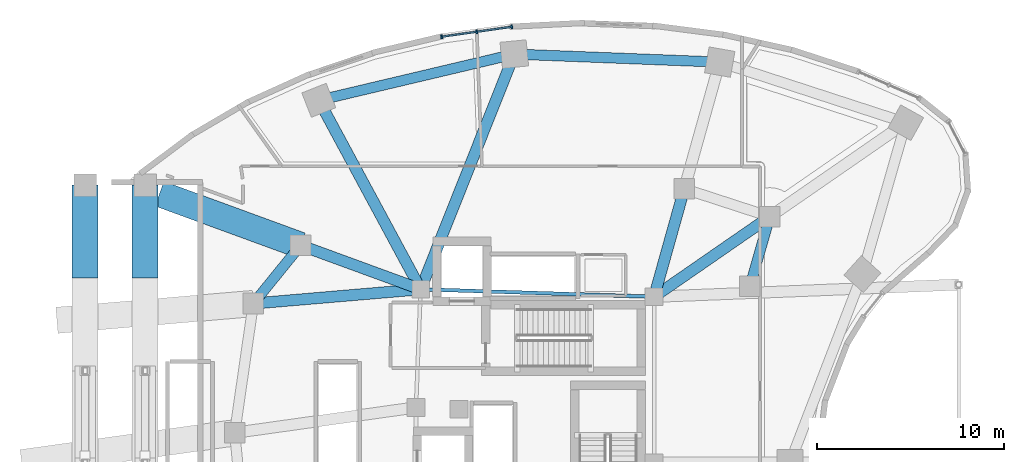
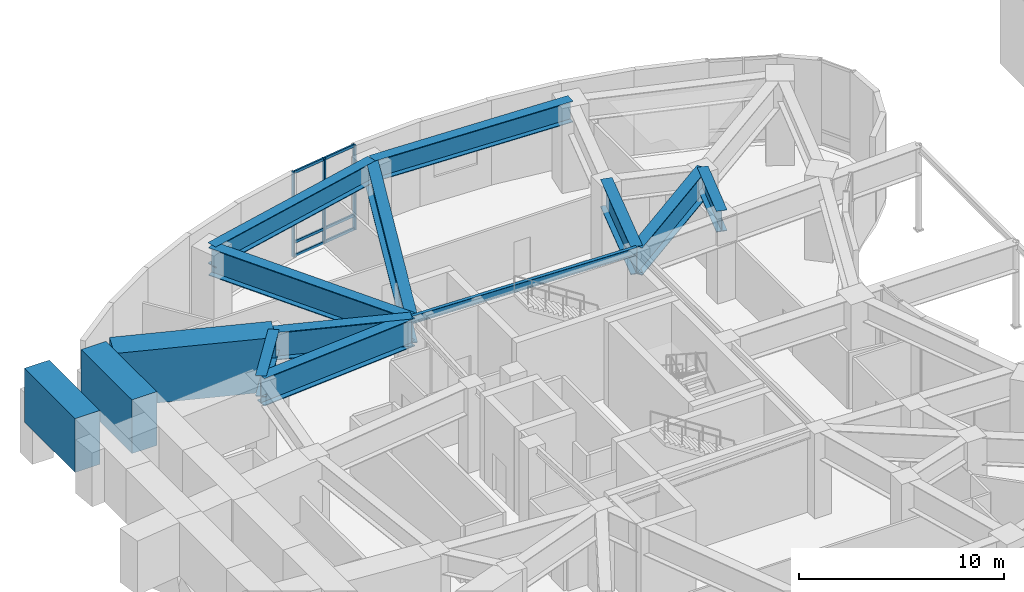
# One storey, part 9 of 23: 14 beams, 9 members, 1 element without a shape of its own.
"""IFC4 building model written with IfcOpenShell, lengths in metres."""

from ifc_helpers import new_model, si_unit, direction, frame, origin, origin_2d, place, context, subcontext, project, spatial, rectangle, i_section, extrude, material, layer, layer_set, material_profile, profile_set, type_object, element, aggregate, save


model = new_model("IFC4")

# Units and contexts
model_context = context("Model", 3, precision=1e-05, world=origin(), true_north=direction((0.0, 1.0)))
body_context = subcontext(model_context, "Body", "Model", "MODEL_VIEW")
ifc_project = project(units=[si_unit("LENGTHUNIT", "METRE"), si_unit("AREAUNIT", "SQUARE_METRE"), si_unit("VOLUMEUNIT", "CUBIC_METRE"), si_unit("PLANEANGLEUNIT", "RADIAN"), si_unit("MASSUNIT", "GRAM", prefix="KILO")], contexts=[model_context])

# Site, building, storey
site_placement = place(None, origin())
site = spatial("IfcSite", under=ifc_project, at=site_placement, CompositionType="ELEMENT")
building_placement = place(site_placement, origin())
building = spatial("IfcBuilding", under=site, at=building_placement, Name="Korentha Bioscience Tower", CompositionType="ELEMENT")
storey_placement = place(building_placement, frame((0.0, 0.0, 15.0)))
storey = spatial("IfcBuildingStorey", under=building, at=storey_placement, Name="L03", CompositionType="ELEMENT", Elevation=15.0)

# Beams
ifc_material_1 = material(Name="Steel S355", Category="steel")
ifc_material_profile_1 = material_profile(ifc_material_1, i_section(OverallWidth=0.550048828125, OverallDepth=1.25, WebThickness=0.02392578125, FlangeThickness=0.0400390625, at=origin_2d()), Name="Steel S355")
ifc_profile_set_1 = profile_set([ifc_material_profile_1], Name="Steel S355 (TG-03)")
beam_type_1 = type_object("IfcBeamType", Name="Crown Step Transfer Girder CVS 1250x510", PredefinedType="USERDEFINED", material=ifc_profile_set_1)
beam_1_placement = place(storey_placement, frame((18.692138671875, 38.5947265625, 4.425048828125), z_axis=(-0.629790009744, -0.776765436684, 0.0), x_axis=(0.776765436684, -0.629790009744, 0.0)))
element("IfcBeam", 1, at=beam_1_placement, inside=storey, type_object=beam_type_1, Name="L03 Mid-Ring Tie Girder 05", ObjectType="TRANSFER_GIRDER", PredefinedType="USERDEFINED", context=body_context, shape_type="SweptSolid", body=[
    extrude(i_section(OverallWidth=0.550048828125, OverallDepth=1.25, WebThickness=0.02392578125, FlangeThickness=0.0400390625, at=origin_2d()), origin(), (0.0, 0.0, 1.0), 3.998291015625),
])
beam_2_placement = place(storey_placement, frame((42.66162109375, 36.406982421875, 4.425048828125), z_axis=(0.27560557792, 0.961270807535, 0.0), x_axis=(-0.961270807535, 0.27560557792, 0.0)))
element("IfcBeam", 2, at=beam_2_placement, inside=storey, type_object=beam_type_1, Name="L03 Mid-Ring Tie Girder 16", ObjectType="TRANSFER_GIRDER", PredefinedType="USERDEFINED", context=body_context, shape_type="SweptSolid", body=[
    extrude(i_section(OverallWidth=0.550048828125, OverallDepth=1.25, WebThickness=0.02392578125, FlangeThickness=0.0400390625, at=origin_2d()), origin(), (0.0, 0.0, 1.0), 3.864013671875),
])
beam_3_placement = place(storey_placement, frame((41.052490234375, 48.36669921875, 4.425048828125), z_axis=(-0.999246003889, 0.03882555488, 0.0), x_axis=(-0.03882555488, -0.999246003889, 0.0)))
element("IfcBeam", 3, at=beam_3_placement, inside=storey, type_object=beam_type_1, Name="L03 Perimeter Spandrel Girder 02", ObjectType="TRANSFER_GIRDER", PredefinedType="USERDEFINED", context=body_context, shape_type="SweptSolid", body=[
    extrude(i_section(OverallWidth=0.550048828125, OverallDepth=1.25, WebThickness=0.02392578125, FlangeThickness=0.0400390625, at=origin_2d()), origin(), (0.0, 0.0, 1.0), 10.966552734375),
])
beam_4_placement = place(storey_placement, frame((30.09423828125, 48.79248046875, 4.425048828125), z_axis=(-0.973207885376, -0.229926970672, 0.0), x_axis=(0.229926970672, -0.973207885376, 0.0)))
element("IfcBeam", 4, at=beam_4_placement, inside=storey, type_object=beam_type_1, Name="L03 Perimeter Spandrel Girder 03", ObjectType="TRANSFER_GIRDER", PredefinedType="USERDEFINED", context=body_context, shape_type="SweptSolid", body=[
    extrude(i_section(OverallWidth=0.550048828125, OverallDepth=1.25, WebThickness=0.02392578125, FlangeThickness=0.0400390625, at=origin_2d()), origin(), (0.0, 0.0, 1.0), 10.71484375),
])
ifc_material_profile_2 = material_profile(ifc_material_1, i_section(OverallWidth=0.60009765625, OverallDepth=1.64990234375, WebThickness=0.02587890625, FlangeThickness=0.0439453125, at=origin_2d()), Name="Steel S355")
ifc_profile_set_2 = profile_set([ifc_material_profile_2], Name="Steel S355 (TG-04)")
beam_type_2 = type_object("IfcBeamType", Name="Deep Setback Transfer Girder CVS 1650x620", PredefinedType="USERDEFINED", material=ifc_profile_set_2)
beam_5_placement = place(storey_placement, frame((37.550048828125, 35.85009765625, 4.22509765625), z_axis=(0.822491697625, 0.568777115694, 0.0), x_axis=(-0.568777115694, 0.822491697625, 0.0)))
element("IfcBeam", 5, at=beam_5_placement, inside=storey, type_object=beam_type_2, Name="L03 Inner Radial Transfer Girder 01", ObjectType="TRANSFER_GIRDER", PredefinedType="USERDEFINED", context=body_context, shape_type="SweptSolid", body=[
    extrude(i_section(OverallWidth=0.60009765625, OverallDepth=1.64990234375, WebThickness=0.02587890625, FlangeThickness=0.0439453125, at=origin_2d()), origin(), (0.0, 0.0, 1.0), 7.509521484375),
])
beam_6_placement = place(storey_placement, frame((37.550048828125, 35.85009765625, 4.22509765625), z_axis=(0.269469369205, 0.963008961049, 0.0), x_axis=(-0.963008961049, 0.269469369205, 0.0)))
element("IfcBeam", 6, at=beam_6_placement, inside=storey, type_object=beam_type_2, Name="L03 Inner Radial Transfer Girder 02", ObjectType="TRANSFER_GIRDER", PredefinedType="USERDEFINED", context=body_context, shape_type="SweptSolid", body=[
    extrude(i_section(OverallWidth=0.60009765625, OverallDepth=1.64990234375, WebThickness=0.02587890625, FlangeThickness=0.0439453125, at=origin_2d()), origin(), (0.0, 0.0, 1.0), 5.978759765625),
])
beam_7_placement = place(storey_placement, frame((25.10009765625, 36.25, 4.22509765625), z_axis=(0.369931007413, 0.929059228335, 0.0), x_axis=(-0.929059228335, 0.369931007413, 0.0)))
element("IfcBeam", 7, at=beam_7_placement, inside=storey, type_object=beam_type_2, Name="L03 Radial Transfer Girder 03", ObjectType="TRANSFER_GIRDER", PredefinedType="USERDEFINED", context=body_context, shape_type="SweptSolid", body=[
    extrude(i_section(OverallWidth=0.60009765625, OverallDepth=1.64990234375, WebThickness=0.02587890625, FlangeThickness=0.0439453125, at=origin_2d()), origin(), (0.0, 0.0, 1.0), 13.500244140625),
])
beam_8_placement = place(storey_placement, frame((25.10009765625, 36.25, 4.22509765625), z_axis=(-0.47454097106, 0.880233416081, 0.0), x_axis=(-0.880233416081, -0.47454097106, 0.0)))
element("IfcBeam", 8, at=beam_8_placement, inside=storey, type_object=beam_type_2, Name="L03 Radial Transfer Girder 04", ObjectType="TRANSFER_GIRDER", PredefinedType="USERDEFINED", context=body_context, shape_type="SweptSolid", body=[
    extrude(i_section(OverallWidth=0.60009765625, OverallDepth=1.64990234375, WebThickness=0.02587890625, FlangeThickness=0.0439453125, at=origin_2d()), origin(), (0.0, 0.0, 1.0), 11.4501953125),
])
beam_9_placement = place(storey_placement, frame((25.10009765625, 36.25, 4.22509765625), z_axis=(-0.939106237741, 0.343626940498, 0.0), x_axis=(-0.343626940498, -0.939106237741, 0.0)))
element("IfcBeam", 9, at=beam_9_placement, inside=storey, type_object=beam_type_2, Name="L03 Inner Radial Transfer Girder 05", ObjectType="TRANSFER_GIRDER", PredefinedType="USERDEFINED", context=body_context, shape_type="SweptSolid", body=[
    extrude(i_section(OverallWidth=0.60009765625, OverallDepth=1.64990234375, WebThickness=0.02587890625, FlangeThickness=0.0439453125, at=origin_2d()), origin(), (0.0, 0.0, 1.0), 6.823486328125),
])
beam_10_placement = place(storey_placement, frame((25.10009765625, 36.25, 4.22509765625), z_axis=(-0.996385503026, -0.08494662654, 0.0), x_axis=(0.08494662654, -0.996385503026, 0.0)))
element("IfcBeam", 10, at=beam_10_placement, inside=storey, type_object=beam_type_2, Name="L03 Inner Radial Transfer Girder 06", ObjectType="TRANSFER_GIRDER", PredefinedType="USERDEFINED", context=body_context, shape_type="SweptSolid", body=[
    extrude(i_section(OverallWidth=0.60009765625, OverallDepth=1.64990234375, WebThickness=0.02587890625, FlangeThickness=0.0439453125, at=origin_2d()), origin(), (0.0, 0.0, 1.0), 8.95849609375),
])
ifc_material_profile_3 = material_profile(ifc_material_1, i_section(OverallWidth=0.18994140625, OverallDepth=0.45703125, WebThickness=0.009033203125, FlangeThickness=0.014404296875, at=origin_2d()), Name="Steel S355")
ifc_profile_set_3 = profile_set([ifc_material_profile_3], Name="Steel S355 (MB-460)")
beam_type_3 = type_object("IfcBeamType", Name="Mid-Ring Tie Girder W460x74", PredefinedType="BEAM", material=ifc_profile_set_3)
beam_11_placement = place(storey_placement, frame((37.550048828125, 35.85009765625, 4.821533203125), z_axis=(-0.999484526071, 0.032104238723, 0.0), x_axis=(-0.032104238723, -0.999484526071, 0.0)))
element("IfcBeam", 11, at=beam_11_placement, inside=storey, type_object=beam_type_3, Name="L03 Core Ring Tie Girder 01", PredefinedType="BEAM", context=body_context, shape_type="SweptSolid", body=[
    extrude(i_section(OverallWidth=0.18994140625, OverallDepth=0.45703125, WebThickness=0.009033203125, FlangeThickness=0.014404296875, at=origin_2d()), origin(), (0.0, 0.0, 1.0), 12.456298828125),
])

# Curtain wall, members
ifc_material_2 = material(Name="Stone-Clad Aluminium Frame", Category="masonry")
ifc_layer = layer(ifc_material_2, 0.219970703125, Name="Stone-Clad Aluminium Frame")
ifc_layer_set = layer_set([ifc_layer], Name="Stone-Clad Aluminium Frame (CW-P1)")
curtain_wall_type = type_object("IfcCurtainWallType", Name="Podium Double-Height Stone-Mullion Curtain Wall CW-P1", PredefinedType="USERDEFINED", material=ifc_layer_set)
curtain_wall_placement = place(storey_placement, origin())
curtain_wall = element("IfcCurtainWall", 12, at=curtain_wall_placement, inside=storey, type_object=curtain_wall_type, Name="L03 Curtain Wall 07", ObjectType="UNITISED", PredefinedType="USERDEFINED")
ifc_material_3 = material(Name="Anodised Aluminium 6063-T6", Category="aluminium")
ifc_material_profile_4 = material_profile(ifc_material_3, rectangle(XDim=0.090087890625, YDim=0.199951171875, at=origin_2d()), Name="Anodised Aluminium 6063-T6")
ifc_profile_set_4 = profile_set([ifc_material_profile_4], Name="Anodised Aluminium 6063-T6 (CW-MUL)")
member_type_1 = type_object("IfcMemberType", Name="Mullion RECT 90x200", PredefinedType="MULLION", material=ifc_profile_set_4)
member_1_placement = place(storey_placement, frame((29.95849609375, 50.247802734375, 0.0), z_axis=(0.0, 0.0, 1.0), x_axis=(-0.990167372968, -0.139887717511, 0.0)))
member_1 = element("IfcMember", 13, at=member_1_placement, type_object=member_type_1, Name="CW-L03-07 Mullion 1", PredefinedType="MULLION", context=body_context, shape_type="SweptSolid", body=[
    extrude(rectangle(XDim=0.090087890625, YDim=0.199951171875, at=origin_2d()), origin(), (0.0, 0.0, 1.0), 5.050048828125),
])
member_2_placement = place(storey_placement, frame((28.086669921875, 49.9833984375, 0.0), z_axis=(0.0, 0.0, 1.0), x_axis=(-0.990167372968, -0.139887717511, 0.0)))
member_2 = element("IfcMember", 14, at=member_2_placement, type_object=member_type_1, Name="CW-L03-07 Mullion 2", PredefinedType="MULLION", context=body_context, shape_type="SweptSolid", body=[
    extrude(rectangle(XDim=0.090087890625, YDim=0.199951171875, at=origin_2d()), origin(), (0.0, 0.0, 1.0), 5.050048828125),
])
member_3_placement = place(storey_placement, frame((26.214599609375, 49.718994140625, 0.0), z_axis=(0.0, 0.0, 1.0), x_axis=(-0.990167372968, -0.139887717511, 0.0)))
member_3 = element("IfcMember", 15, at=member_3_placement, type_object=member_type_1, Name="CW-L03-07 Mullion 3", PredefinedType="MULLION", context=body_context, shape_type="SweptSolid", body=[
    extrude(rectangle(XDim=0.090087890625, YDim=0.199951171875, at=origin_2d()), origin(), (0.0, 0.0, 1.0), 5.050048828125),
])

# Beams
ifc_material_4 = material(Name="Concrete C80", Category="concrete")
ifc_material_profile_5 = material_profile(ifc_material_4, rectangle(XDim=1.39990234375, YDim=3.199951171875, at=origin_2d()), Name="Concrete C80")
ifc_profile_set_5 = profile_set([ifc_material_profile_5], Name="Concrete C80 (TG-01)")
beam_type_4 = type_object("IfcBeamType", Name="Plaza Arch Transfer Girder 1400x3200", PredefinedType="USERDEFINED", material=ifc_profile_set_5)
for number, where, z_axis, x_axis, name in (
    (16, (7.199951171875, 36.85009765625, 3.449951171875), (0.0, 1.0, 0.0), (-1.0, 0.0, 0.0), "L03 Plaza Arch Transfer Girder 1-6"),
    (17, (10.39990234375, 36.85009765625, 3.449951171875), (0.0, 1.0, 0.0), (-1.0, 0.0, 0.0), "L03 Plaza Arch Transfer Girder 2-6"),
):
    element("IfcBeam", number, at=place(storey_placement, frame(where, z_axis=z_axis, x_axis=x_axis)), inside=storey, type_object=beam_type_4, Name=name, ObjectType="TRANSFER_GIRDER", PredefinedType="USERDEFINED", context=body_context, shape_type="SweptSolid", body=[
        extrude(rectangle(XDim=1.39990234375, YDim=3.199951171875, at=origin_2d()), origin(), (0.0, 0.0, 1.0), 4.949951171875),
    ])
beam_12_placement = place(storey_placement, frame((18.692138671875, 38.5947265625, 3.449951171875), z_axis=(-0.939106299948, 0.343626770491, 0.0), x_axis=(-0.343626770491, -0.939106299948, 0.0)))
element("IfcBeam", 18, at=beam_12_placement, inside=storey, type_object=beam_type_4, Name="L03 Radial Arch Transfer Girder 05", ObjectType="TRANSFER_GIRDER", PredefinedType="USERDEFINED", context=body_context, shape_type="SweptSolid", body=[
    extrude(rectangle(XDim=1.39990234375, YDim=3.199951171875, at=origin_2d()), origin(), (0.0, 0.0, 1.0), 8.010009765625),
])

# Member
ifc_material_profile_6 = material_profile(ifc_material_3, rectangle(XDim=0.090087890625, YDim=0.159912109375, at=origin_2d()), Name="Anodised Aluminium 6063-T6")
ifc_profile_set_6 = profile_set([ifc_material_profile_6], Name="Anodised Aluminium 6063-T6 (CW-TRN)")
member_type_2 = type_object("IfcMemberType", Name="Transom RECT 90x160", PredefinedType="USERDEFINED", material=ifc_profile_set_6)
member_4_placement = place(storey_placement, frame((29.913818359375, 50.24169921875, 0.044921875), z_axis=(-0.990159924061, -0.139940432982, 0.0), x_axis=(0.139940432982, -0.990159924061, 0.0)))
member_4 = element("IfcMember", 19, at=member_4_placement, type_object=member_type_2, Name="CW-L03-07 Bay 1 Transom 1", ObjectType="TRANSOM", PredefinedType="USERDEFINED", context=body_context, shape_type="SweptSolid", body=[
    extrude(rectangle(XDim=0.090087890625, YDim=0.159912109375, at=origin_2d()), origin(), (0.0, 0.0, 1.0), 1.800537109375),
])

member_5_placement = place(storey_placement, frame((29.913818359375, 50.24169921875, 0.85009765625), z_axis=(-0.990159924061, -0.139940432982, 0.0), x_axis=(0.139940432982, -0.990159924061, 0.0)))
member_5 = element("IfcMember", 20, at=member_5_placement, type_object=member_type_2, Name="CW-L03-07 Bay 1 Transom 2", ObjectType="TRANSOM", PredefinedType="USERDEFINED", context=body_context, shape_type="SweptSolid", body=[
    extrude(rectangle(XDim=0.090087890625, YDim=0.159912109375, at=origin_2d()), origin(), (0.0, 0.0, 1.0), 1.800537109375),
])

member_6_placement = place(storey_placement, frame((29.913818359375, 50.24169921875, 5.0048828125), z_axis=(-0.990159924061, -0.139940432982, 0.0), x_axis=(0.139940432982, -0.990159924061, 0.0)))
member_6 = element("IfcMember", 21, at=member_6_placement, type_object=member_type_2, Name="CW-L03-07 Bay 1 Transom 3", ObjectType="TRANSOM", PredefinedType="USERDEFINED", context=body_context, shape_type="SweptSolid", body=[
    extrude(rectangle(XDim=0.090087890625, YDim=0.159912109375, at=origin_2d()), origin(), (0.0, 0.0, 1.0), 1.800537109375),
])

member_7_placement = place(storey_placement, frame((28.0419921875, 49.977294921875, 0.044921875), z_axis=(-0.990159924061, -0.139940432982, 0.0), x_axis=(0.139940432982, -0.990159924061, 0.0)))
member_7 = element("IfcMember", 22, at=member_7_placement, type_object=member_type_2, Name="CW-L03-07 Bay 2 Transom 1", ObjectType="TRANSOM", PredefinedType="USERDEFINED", context=body_context, shape_type="SweptSolid", body=[
    extrude(rectangle(XDim=0.090087890625, YDim=0.159912109375, at=origin_2d()), origin(), (0.0, 0.0, 1.0), 1.800537109375),
])

member_8_placement = place(storey_placement, frame((28.0419921875, 49.977294921875, 0.85009765625), z_axis=(-0.990159924061, -0.139940432982, 0.0), x_axis=(0.139940432982, -0.990159924061, 0.0)))
member_8 = element("IfcMember", 23, at=member_8_placement, type_object=member_type_2, Name="CW-L03-07 Bay 2 Transom 2", ObjectType="TRANSOM", PredefinedType="USERDEFINED", context=body_context, shape_type="SweptSolid", body=[
    extrude(rectangle(XDim=0.090087890625, YDim=0.159912109375, at=origin_2d()), origin(), (0.0, 0.0, 1.0), 1.800537109375),
])

member_9_placement = place(storey_placement, frame((28.0419921875, 49.977294921875, 5.0048828125), z_axis=(-0.990159924061, -0.139940432982, 0.0), x_axis=(0.139940432982, -0.990159924061, 0.0)))
member_9 = element("IfcMember", 24, at=member_9_placement, type_object=member_type_2, Name="CW-L03-07 Bay 2 Transom 3", ObjectType="TRANSOM", PredefinedType="USERDEFINED", context=body_context, shape_type="SweptSolid", body=[
    extrude(rectangle(XDim=0.090087890625, YDim=0.159912109375, at=origin_2d()), origin(), (0.0, 0.0, 1.0), 1.800537109375),
])

aggregate(curtain_wall, [member_1, member_2, member_3, member_4, member_5, member_6, member_7, member_8, member_9])

save(model, "model.ifc")
